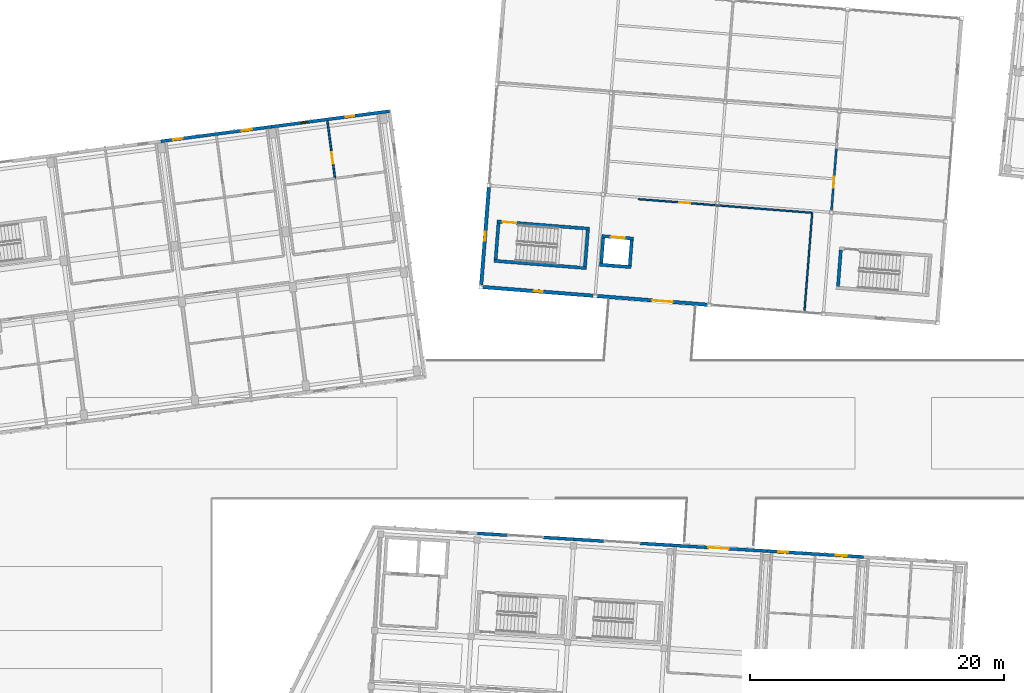
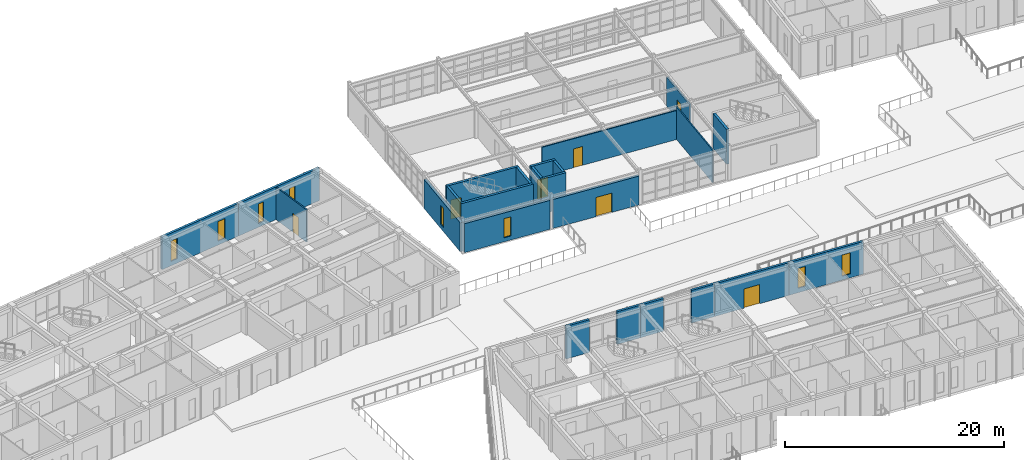
# One storey, part 96 of 150: 24 walls, 8 windows, 7 doors, 15 openings.
"""IFC4 building model written with IfcOpenShell, lengths in metres."""

import ifcopenshell
import ifcopenshell.guid

model = None  # the IFC model being written
_history = None  # IfcOwnerHistory: only IFC2X3 demands one
_inside = {}  # id of a spatial element -> (the spatial element, [elements in it])
_under = {}  # id of a project, library or spatial element -> (it, [spatial elements below it])
_declared = {}  # id of a project -> (the project, [libraries it declares])
_typed = {}  # id of a type object -> (the type object, [elements of that type])
_made_of = {}  # id of a material, layer set ... -> (it, [elements and type objects made of it])


def new_model(schema):
    """Start an empty IFC model of exactly this schema.

    Asked for "IFC4X3", IfcOpenShell would pick the latest addendum, in which some entities
    have other attributes; the version numbers below select the first issue.
    IFC2X3 requires an IfcOwnerHistory on every rooted entity: one is made here for all.
    """
    global model, _history
    if schema == "IFC4X3":
        model = ifcopenshell.file(schema_version=(4, 3, 0, 0))
    else:
        model = ifcopenshell.file(schema=schema)
    _inside.clear()
    _under.clear()
    _declared.clear()
    _typed.clear()
    _made_of.clear()
    _history = None
    if model.schema == "IFC2X3":
        org = make("IfcOrganization", Name="unknown")
        user = make(
            "IfcPersonAndOrganization",
            ThePerson=make("IfcPerson", FamilyName="unknown"),
            TheOrganization=org,
        )
        app = make(
            "IfcApplication",
            ApplicationDeveloper=org,
            Version="unknown",
            ApplicationFullName="unknown",
            ApplicationIdentifier="unknown",
        )
        _history = make(
            "IfcOwnerHistory",
            OwningUser=user,
            OwningApplication=app,
            ChangeAction="ADDED",
            CreationDate=0,
        )
    return model


def make(cls, **values):
    """One entity of the class cls with the attributes given. An attribute that is None is left unset."""
    return model.create_entity(
        cls, **{name: value for name, value in values.items() if value is not None}
    )


def rooted(cls, **values):
    """An entity with a GlobalId (a new one), such as an element, a storey or a relation."""
    return make(cls, GlobalId=ifcopenshell.guid.new(), OwnerHistory=_history, **values)


def si_unit(unit_type, name, prefix=None):
    """IfcSIUnit, for example si_unit("LENGTHUNIT", "METRE", prefix="MILLI")."""
    return make("IfcSIUnit", UnitType=unit_type, Prefix=prefix, Name=name)


def assignment(units):
    """IfcUnitAssignment: the units of a project."""
    return None if units is None else make("IfcUnitAssignment", Units=units)


def point(xyz):
    """IfcCartesianPoint."""
    return None if xyz is None else make("IfcCartesianPoint", Coordinates=xyz)


def direction(xyz):
    """IfcDirection."""
    return None if xyz is None else make("IfcDirection", DirectionRatios=xyz)


def frame(location, z_axis=None, x_axis=None):
    """IfcAxis2Placement3D, a coordinate frame: its origin and axes. An axis left out is left unset."""
    return make(
        "IfcAxis2Placement3D",
        Location=point(location),
        Axis=direction(z_axis),
        RefDirection=direction(x_axis),
    )


def frame_2d(location, x_axis=None):
    """IfcAxis2Placement2D, a coordinate frame in the plane: its origin and x axis."""
    return make(
        "IfcAxis2Placement2D", Location=point(location), RefDirection=direction(x_axis)
    )


def origin():
    """The frame at (0, 0, 0) with its axes left unset."""
    return frame((0.0, 0.0, 0.0))


def place(relative_to, where):
    """IfcLocalPlacement: puts the frame where relative to a parent placement (None: the world)."""
    return make(
        "IfcLocalPlacement", PlacementRelTo=relative_to, RelativePlacement=where
    )


def context(
    kind, dimensions, precision=None, world=None, true_north=None, identifier=None
):
    """IfcGeometricRepresentationContext, for example the 3D "Model" context."""
    return make(
        "IfcGeometricRepresentationContext",
        ContextIdentifier=identifier,
        ContextType=kind,
        CoordinateSpaceDimension=dimensions,
        Precision=precision,
        WorldCoordinateSystem=world,
        TrueNorth=true_north,
    )


def subcontext(parent, identifier, kind, view, scale=None):
    """IfcGeometricRepresentationSubContext, for example "Body" below "Model"."""
    return make(
        "IfcGeometricRepresentationSubContext",
        ContextIdentifier=identifier,
        ContextType=kind,
        ParentContext=parent,
        TargetScale=scale,
        TargetView=view,
    )


def project(units=None, contexts=None):
    """IfcProject with its units and contexts."""
    return rooted(
        "IfcProject",
        Name="project",
        RepresentationContexts=contexts,
        UnitsInContext=assignment(units),
    )


def spatial(cls, under=None, at=None, **own):
    """A site, building, storey or space (cls), placed at a placement, below another one or the project."""
    s = rooted(cls, ObjectPlacement=at, **own)
    if under is not None:
        _under.setdefault(under.id(), (under, []))[1].append(s)
    return s


def profile(cls, at=None, kind="AREA", **sizes):
    """A parametric profile (cls). Its sizes go by their IFC names, for example OverallWidth=200.0."""
    return make(cls, ProfileType=kind, Position=at, **sizes)


def rectangle(**sizes):
    """IfcRectangleProfileDef."""
    return profile("IfcRectangleProfileDef", **sizes)


def extrude(swept, where, along, depth):
    """IfcExtrudedAreaSolid: the profile swept, set in the frame where, extruded along a direction by depth."""
    return make(
        "IfcExtrudedAreaSolid",
        SweptArea=swept,
        Position=where,
        ExtrudedDirection=direction(along),
        Depth=depth,
    )


def shape(context_of_items, identifier, shape_type, items):
    """IfcShapeRepresentation: the items that make up one representation, for example the "Body"."""
    return make(
        "IfcShapeRepresentation",
        ContextOfItems=context_of_items,
        RepresentationIdentifier=identifier,
        RepresentationType=shape_type,
        Items=items,
    )


def material(Name=None, Category=None):
    """IfcMaterial."""
    return make("IfcMaterial", Name=Name, Category=Category)


def layer(
    of_material, thickness, ventilated=None, Name=None, Category=None, Priority=None
):
    """IfcMaterialLayer: one layer of a wall or slab, of a material (None: an air gap)."""
    return make(
        "IfcMaterialLayer",
        Material=of_material,
        LayerThickness=thickness,
        IsVentilated=ventilated,
        Name=Name,
        Category=Category,
        Priority=Priority,
    )


def layer_set(layers, Name=None):
    """IfcMaterialLayerSet."""
    return make("IfcMaterialLayerSet", MaterialLayers=layers, LayerSetName=Name)


def made_of(thing, what):
    """Note that an element or type object is made of a material, layer set ...; save() writes the relation."""
    if what is not None:
        _made_of.setdefault(what.id(), (what, []))[1].append(thing)
    return thing


def type_object(cls, material=None, **own):
    """A type object (cls), such as IfcWallType, which elements share."""
    return made_of(rooted(cls, **own), material)


def element(
    cls,
    number,
    at=None,
    inside=None,
    cuts=None,
    type_object=None,
    material=None,
    context=None,
    identifier="Body",
    shape_type=None,
    held_by="IfcProductDefinitionShape",
    body=None,
    shapes=None,
    **own,
):
    """One element of the class cls, such as IfcWall. Its Tag is "e" and its number.

    at: its placement. inside: the storey or other place that contains it. cuts: it is an
    opening in that element (IfcRelVoidsElement). A single representation is given by context,
    identifier, shape_type and body (its items); several are given by shapes. held_by: the class
    of the entity that holds the representations. save() writes the other relations.
    """
    e = rooted(cls, Tag="e%d" % number, ObjectPlacement=at, **own)
    if body is not None:
        shapes = [shape(context, identifier, shape_type, body)]
    if shapes is not None:
        e.Representation = make(held_by, Representations=shapes)
    if inside is not None:
        _inside.setdefault(inside.id(), (inside, []))[1].append(e)
    if cuts is not None:
        rooted(
            "IfcRelVoidsElement", RelatingBuildingElement=cuts, RelatedOpeningElement=e
        )
    if type_object is not None:
        _typed.setdefault(type_object.id(), (type_object, []))[1].append(e)
    return made_of(e, material)


def fill(opening, filler):
    """IfcRelFillsElement: the door or window that sits in an opening."""
    return rooted(
        "IfcRelFillsElement",
        RelatingOpeningElement=opening,
        RelatedBuildingElement=filler,
    )


def aggregate(whole, parts):
    """IfcRelAggregates: a whole, such as a stair, and the parts it consists of."""
    return rooted("IfcRelAggregates", RelatingObject=whole, RelatedObjects=parts)


def save(model, path):
    """Write the relations noted so far, then the file.

    IfcRelAggregates (storeys below a building ...), IfcRelContainedInSpatialStructure (elements
    in a storey), IfcRelDefinesByType, IfcRelAssociatesMaterial and IfcRelDeclares: one each for
    every whole, place, type object, material and project.
    """
    for whole, parts in _under.values():
        aggregate(whole, parts)
    for where, things in _inside.values():
        rooted(
            "IfcRelContainedInSpatialStructure",
            RelatedElements=things,
            RelatingStructure=where,
        )
    for kind, things in _typed.values():
        rooted("IfcRelDefinesByType", RelatedObjects=things, RelatingType=kind)
    for what, things in _made_of.values():
        rooted("IfcRelAssociatesMaterial", RelatedObjects=things, RelatingMaterial=what)
    for by, libraries in _declared.values():
        rooted("IfcRelDeclares", RelatingContext=by, RelatedDefinitions=libraries)
    model.write(path)


model = new_model("IFC4")

# Units and contexts
model_context = context("Model", 3, precision=1e-05, world=origin(), true_north=direction((0.0, 1.0)))
body_context = subcontext(model_context, "Body", "Model", "MODEL_VIEW")
ifc_project = project(units=[si_unit("LENGTHUNIT", "METRE"), si_unit("AREAUNIT", "SQUARE_METRE"), si_unit("VOLUMEUNIT", "CUBIC_METRE"), si_unit("PLANEANGLEUNIT", "RADIAN"), si_unit("MASSUNIT", "GRAM", prefix="KILO")], contexts=[model_context])

# Site, building, storey
site_placement = place(None, origin())
site = spatial("IfcSite", under=ifc_project, at=site_placement, CompositionType="ELEMENT")
building_placement = place(site_placement, origin())
building = spatial("IfcBuilding", under=site, at=building_placement, Name="Kestramere Prow Commons", CompositionType="ELEMENT")
storey_placement = place(building_placement, frame((0.0, 0.0, 4.5)))
storey = spatial("IfcBuildingStorey", under=building, at=storey_placement, Name="L01", CompositionType="ELEMENT", Elevation=4.5)

# Wall, opening, window
ifc_material_1 = material(Name="Precast concrete C40/50", Category="concrete")
ifc_layer_1 = layer(ifc_material_1, 0.280029296875)
ifc_layer_set_1 = layer_set([ifc_layer_1], Name="Precast concrete C40/50")
wall_type_1 = type_object("IfcWallType", Name="EW-CIVIC-280", PredefinedType="SOLIDWALL", material=ifc_layer_set_1)
wall_1_placement = place(storey_placement, frame((77.422607421875, 84.8056640625, 0.0), z_axis=(0.0, 0.0, 1.0), x_axis=(-0.996917066238, 0.078462494502, 0.0)))
wall_1 = element("IfcWall", 1, at=wall_1_placement, inside=storey, type_object=wall_type_1, Name="Nursery L01 South Wall 1", PredefinedType="SOLIDWALL", context=body_context, shape_type="SweptSolid", body=[
    extrude(rectangle(XDim=8.699951171875, YDim=0.280029296875, at=frame_2d((4.35009765625, 0.0))), origin(), (0.0, 0.0, 1.0), 3.22998046875),
])
opening_1_placement = place(wall_1_placement, frame((4.0, 0.0, 0.449951171875)))
opening_1 = element("IfcOpeningElement", 2, at=opening_1_placement, cuts=wall_1, Name="Opening WN-16", PredefinedType="OPENING", context=body_context, shape_type="SweptSolid", body=[
    extrude(rectangle(XDim=0.699951171875, YDim=2.139892578125, at=frame_2d((0.35009765625, 1.06982421875))), frame((0.0, 0.155029296875, 0.0), z_axis=(0.0, -1.0, 0.0), x_axis=(1.0, 0.0, 0.0)), (0.0, 0.0, 1.0), 0.31005859375),
])
ifc_material_2 = material(Name="Low-E Laminated Double Glazing", Category="glass")
window_type_1 = type_object("IfcWindowType", Name="WN-CIV-700", PartitioningType="SINGLE_PANEL", PredefinedType="WINDOW", material=ifc_material_2)
window_1_placement = place(opening_1_placement, origin())
window_1 = element("IfcWindow", 3, at=window_1_placement, inside=storey, type_object=window_type_1, Name="WN-NR-L01-S-0", OverallHeight=2.139892578125, OverallWidth=0.699951171875, PartitioningType="SINGLE_PANEL", PredefinedType="WINDOW", context=body_context, shape_type="SweptSolid", body=[
    extrude(rectangle(XDim=0.699951171875, YDim=2.139892578125, at=frame_2d((0.35009765625, 1.06982421875))), frame((0.0, 0.030029296875, 0.0), z_axis=(0.0, -1.0, 0.0), x_axis=(1.0, 0.0, 0.0)), (0.0, 0.0, 1.0), 0.06005859375),
])
fill(opening_1, window_1)

# Wall, opening, door
wall_2_placement = place(storey_placement, frame((86.39501953125, 84.099609375, 0.0), z_axis=(0.0, 0.0, 1.0), x_axis=(-0.996919433544, 0.078432410537, 0.0)))
wall_2 = element("IfcWall", 4, at=wall_2_placement, inside=storey, type_object=wall_type_1, Name="Nursery L01 South Wall 2", PredefinedType="SOLIDWALL", context=body_context, shape_type="SweptSolid", body=[
    extrude(rectangle(XDim=8.7001953125, YDim=0.280029296875, at=frame_2d((4.35009765625, 0.0))), origin(), (0.0, 0.0, 1.0), 3.22998046875),
])
opening_2_placement = place(wall_2_placement, frame((2.739990234375, 0.0, 0.0)))
opening_2 = element("IfcOpeningElement", 5, at=opening_2_placement, cuts=wall_2, Name="Opening GD-TER-01", PredefinedType="OPENING", context=body_context, shape_type="SweptSolid", body=[
    extrude(rectangle(XDim=1.60009765625, YDim=2.14990234375, at=frame_2d((0.800048828125, 1.074951171875))), frame((0.0, 0.155029296875, 0.0), z_axis=(0.0, -1.0, 0.0), x_axis=(1.0, 0.0, 0.0)), (0.0, 0.0, 1.0), 0.31005859375),
])
ifc_material_3 = material(Name="Thermally-Broken Anodised Aluminium Glazed", Category="aluminium")
door_type_1 = type_object("IfcDoorType", Name="GD-TERR-1600", OperationType="DOUBLE_DOOR_SINGLE_SWING", PredefinedType="DOOR", material=ifc_material_3)
door_1_placement = place(opening_2_placement, origin())
door_1 = element("IfcDoor", 6, at=door_1_placement, inside=storey, type_object=door_type_1, Name="Nursery L01 Raised Courtyard Entrance Door", OperationType="DOUBLE_DOOR_SINGLE_SWING", OverallHeight=2.14990234375, OverallWidth=1.60009765625, PredefinedType="DOOR", context=body_context, shape_type="SweptSolid", body=[
    extrude(rectangle(XDim=1.60009765625, YDim=2.14990234375, at=frame_2d((0.800048828125, 1.074951171875))), frame((0.0, 0.02490234375, 0.0), z_axis=(0.0, -1.0, 0.0), x_axis=(1.0, 0.0, 0.0)), (0.0, 0.0, 1.0), 0.050048828125),
])
fill(opening_2, door_1)

# Wall, opening, window
wall_3_placement = place(storey_placement, frame((68.61181640625, 85.649658203125, 0.0), z_axis=(0.0, 0.0, 1.0), x_axis=(0.078444588533, 0.996918475368, 0.0)))
wall_3 = element("IfcWall", 7, at=wall_3_placement, inside=storey, type_object=wall_type_1, Name="Nursery L01 W Wall 1", PredefinedType="SOLIDWALL", context=body_context, shape_type="SweptSolid", body=[
    extrude(rectangle(XDim=7.69970703125, YDim=0.280029296875, at=frame_2d((3.849853515625, 0.0))), origin(), (0.0, 0.0, 1.0), 3.22998046875),
])
opening_3_placement = place(wall_3_placement, frame((3.5, 0.0, 0.449951171875)))
opening_3 = element("IfcOpeningElement", 8, at=opening_3_placement, cuts=wall_3, Name="Opening WN-16", PredefinedType="OPENING", context=body_context, shape_type="SweptSolid", body=[
    extrude(rectangle(XDim=0.699951171875, YDim=2.139892578125, at=frame_2d((0.35009765625, 1.06982421875))), frame((0.0, 0.155029296875, 0.0), z_axis=(0.0, -1.0, 0.0), x_axis=(1.0, 0.0, 0.0)), (0.0, 0.0, 1.0), 0.31005859375),
])
window_2_placement = place(opening_3_placement, origin())
window_2 = element("IfcWindow", 9, at=window_2_placement, inside=storey, type_object=window_type_1, Name="WN-NR-L01-W-0", OverallHeight=2.139892578125, OverallWidth=0.699951171875, PartitioningType="SINGLE_PANEL", PredefinedType="WINDOW", context=body_context, shape_type="SweptSolid", body=[
    extrude(rectangle(XDim=0.699951171875, YDim=2.139892578125, at=frame_2d((0.35009765625, 1.06982421875))), frame((0.0, 0.030029296875, 0.0), z_axis=(0.0, -1.0, 0.0), x_axis=(1.0, 0.0, 0.0)), (0.0, 0.0, 1.0), 0.06005859375),
])
fill(opening_3, window_2)

# Wall, openings, windows
ifc_material_4 = material(Name="Fluoropolymer Standing-Seam Zinc-Aluminium Cladding", Category="aluminium")
ifc_layer_2 = layer(ifc_material_4, 0.239990234375)
ifc_layer_set_2 = layer_set([ifc_layer_2], Name="Fluoropolymer Standing-Seam Zinc-Aluminium Cladding")
wall_type_2 = type_object("IfcWallType", Name="EW-SEAM-240", PredefinedType="SOLIDWALL", material=ifc_layer_set_2)
wall_4_placement = place(storey_placement, frame((43.419921875, 96.94384765625, 0.0), z_axis=(0.0, 0.0, 1.0), x_axis=(0.991443905089, 0.130533455715, 0.0)))
wall_4 = element("IfcWall", 10, at=wall_4_placement, inside=storey, type_object=wall_type_2, Name="Block A L01 North Standing-Seam Wall 5", PredefinedType="SOLIDWALL", context=body_context, shape_type="SweptSolid", body=[
    extrude(rectangle(XDim=8.7998046875, YDim=0.239990234375, at=frame_2d((4.39990234375, 0.0))), origin(), (0.0, 0.0, 1.0), 3.64990234375),
])
opening_4_placement = place(wall_4_placement, frame((1.000732421875, 0.0, 0.5)))
opening_4 = element("IfcOpeningElement", 11, at=opening_4_placement, cuts=wall_4, Name="Opening WN-09", PredefinedType="OPENING", context=body_context, shape_type="SweptSolid", body=[
    extrude(rectangle(XDim=0.739990234375, YDim=2.260009765625, at=frame_2d((0.3701171875, 1.1298828125))), frame((0.0, 0.135009765625, 0.0), z_axis=(0.0, -1.0, 0.0), x_axis=(1.0, 0.0, 0.0)), (0.0, 0.0, 1.0), 0.27001953125),
])
opening_5_placement = place(wall_4_placement, frame((6.41796875, 0.0, 0.43994140625)))
opening_5 = element("IfcOpeningElement", 12, at=opening_5_placement, cuts=wall_4, Name="Opening WN-13", PredefinedType="OPENING", context=body_context, shape_type="SweptSolid", body=[
    extrude(rectangle(XDim=0.820068359375, YDim=2.179931640625, at=frame_2d((0.41015625, 1.08984375))), frame((0.0, 0.135009765625, 0.0), z_axis=(0.0, -1.0, 0.0), x_axis=(1.0, 0.0, 0.0)), (0.0, 0.0, 1.0), 0.27001953125),
])
window_type_2 = type_object("IfcWindowType", Name="WN-NAR-740A", PartitioningType="SINGLE_PANEL", PredefinedType="WINDOW", material=ifc_material_2)
window_3_placement = place(opening_4_placement, origin())
window_3 = element("IfcWindow", 13, at=window_3_placement, inside=storey, type_object=window_type_2, Name="WN-A-L01-N-4-0", OverallHeight=2.260009765625, OverallWidth=0.739990234375, PartitioningType="SINGLE_PANEL", PredefinedType="WINDOW", context=body_context, shape_type="SweptSolid", body=[
    extrude(rectangle(XDim=0.739990234375, YDim=2.260009765625, at=frame_2d((0.3701171875, 1.1298828125))), frame((0.0, 0.030029296875, 0.0), z_axis=(0.0, -1.0, 0.0), x_axis=(1.0, 0.0, 0.0)), (0.0, 0.0, 1.0), 0.06005859375),
])
fill(opening_4, window_3)
window_type_3 = type_object("IfcWindowType", Name="WN-NAR-820A", PartitioningType="DOUBLE_PANEL_VERTICAL", PredefinedType="WINDOW", material=ifc_material_2)
window_4_placement = place(opening_5_placement, origin())
window_4 = element("IfcWindow", 14, at=window_4_placement, inside=storey, type_object=window_type_3, Name="WN-A-L01-N-4-1", OverallHeight=2.179931640625, OverallWidth=0.820068359375, PartitioningType="SINGLE_PANEL", PredefinedType="WINDOW", context=body_context, shape_type="SweptSolid", body=[
    extrude(rectangle(XDim=0.820068359375, YDim=2.179931640625, at=frame_2d((0.41015625, 1.08984375))), frame((0.0, 0.030029296875, 0.0), z_axis=(0.0, -1.0, 0.0), x_axis=(1.0, 0.0, 0.0)), (0.0, 0.0, 1.0), 0.06005859375),
])
fill(opening_5, window_4)

wall_5_placement = place(storey_placement, frame((52.14453125, 98.092529296875, 0.0), z_axis=(0.0, 0.0, 1.0), x_axis=(0.991442885224, 0.130541201693, 0.0)))
wall_5 = element("IfcWall", 15, at=wall_5_placement, inside=storey, type_object=wall_type_2, Name="Block A L01 North Standing-Seam Wall 6", PredefinedType="SOLIDWALL", context=body_context, shape_type="SweptSolid", body=[
    extrude(rectangle(XDim=9.324951171875, YDim=0.239990234375, at=frame_2d((4.66259765625, 0.0))), origin(), (0.0, 0.0, 1.0), 3.64990234375),
])
opening_6_placement = place(wall_5_placement, frame((2.287841796875, 0.0, 0.43994140625)))
opening_6 = element("IfcOpeningElement", 16, at=opening_6_placement, cuts=wall_5, Name="Opening WN-01", PredefinedType="OPENING", context=body_context, shape_type="SweptSolid", body=[
    extrude(rectangle(XDim=0.580078125, YDim=2.159912109375, at=frame_2d((0.2900390625, 1.080078125))), frame((0.0, 0.135009765625, 0.0), z_axis=(0.0, -1.0, 0.0), x_axis=(1.0, 0.0, 0.0)), (0.0, 0.0, 1.0), 0.27001953125),
])
opening_7_placement = place(wall_5_placement, frame((5.872802734375, 0.0, 0.5)))
opening_7 = element("IfcOpeningElement", 17, at=opening_7_placement, cuts=wall_5, Name="Opening WN-05", PredefinedType="OPENING", context=body_context, shape_type="SweptSolid", body=[
    extrude(rectangle(XDim=0.659912109375, YDim=2.320068359375, at=frame_2d((0.330078125, 1.16015625))), frame((0.0, 0.135009765625, 0.0), z_axis=(0.0, -1.0, 0.0), x_axis=(1.0, 0.0, 0.0)), (0.0, 0.0, 1.0), 0.27001953125),
])
window_type_4 = type_object("IfcWindowType", Name="WN-NAR-580A", PartitioningType="SINGLE_PANEL", PredefinedType="WINDOW", material=ifc_material_2)
window_5_placement = place(opening_6_placement, origin())
window_5 = element("IfcWindow", 18, at=window_5_placement, inside=storey, type_object=window_type_4, Name="WN-A-L01-N-5-0", OverallHeight=2.159912109375, OverallWidth=0.580078125, PartitioningType="SINGLE_PANEL", PredefinedType="WINDOW", context=body_context, shape_type="SweptSolid", body=[
    extrude(rectangle(XDim=0.580078125, YDim=2.159912109375, at=frame_2d((0.2900390625, 1.080078125))), frame((0.0, 0.030029296875, 0.0), z_axis=(0.0, -1.0, 0.0), x_axis=(1.0, 0.0, 0.0)), (0.0, 0.0, 1.0), 0.06005859375),
])
fill(opening_6, window_5)
window_type_5 = type_object("IfcWindowType", Name="WN-NAR-660A", PartitioningType="SINGLE_PANEL", PredefinedType="WINDOW", material=ifc_material_2)
window_6_placement = place(opening_7_placement, origin())
window_6 = element("IfcWindow", 19, at=window_6_placement, inside=storey, type_object=window_type_5, Name="WN-A-L01-N-5-1", OverallHeight=2.320068359375, OverallWidth=0.659912109375, PartitioningType="SINGLE_PANEL", PredefinedType="WINDOW", context=body_context, shape_type="SweptSolid", body=[
    extrude(rectangle(XDim=0.659912109375, YDim=2.320068359375, at=frame_2d((0.330078125, 1.16015625))), frame((0.0, 0.030029296875, 0.0), z_axis=(0.0, -1.0, 0.0), x_axis=(1.0, 0.0, 0.0)), (0.0, 0.0, 1.0), 0.06005859375),
])
fill(opening_7, window_6)

# Walls
wall_6_placement = place(storey_placement, frame((68.314453125, 66.12353515625, 0.0), z_axis=(0.0, 0.0, 1.0), x_axis=(0.998134103342, -0.061059902923, 0.0)))
element("IfcWall", 20, at=wall_6_placement, inside=storey, type_object=wall_type_2, Name="Block C L01 North Standing-Seam Pier 2L", PredefinedType="SOLIDWALL", context=body_context, shape_type="SweptSolid", body=[
    extrude(rectangle(XDim=2.375, YDim=0.239990234375, at=frame_2d((1.1875, 0.0))), origin(), (0.0, 0.0, 1.0), 3.64990234375),
])
wall_7_placement = place(storey_placement, frame((73.52978515625, 65.804443359375, 0.0), z_axis=(0.0, 0.0, 1.0), x_axis=(0.998133720034, -0.061066168473, 0.0)))
element("IfcWall", 21, at=wall_7_placement, inside=storey, type_object=wall_type_2, Name="Block C L01 North Standing-Seam Pier 2R", PredefinedType="SOLIDWALL", context=body_context, shape_type="SweptSolid", body=[
    extrude(rectangle(XDim=2.374755859375, YDim=0.239990234375, at=frame_2d((1.1875, 0.0))), origin(), (0.0, 0.0, 1.0), 3.64990234375),
])
for number, where, z_axis, x_axis, name in (
    (22, (75.900146484375, 65.659423828125, 0.0), (0.0, 0.0, 1.0), (0.998140363035, -0.06095749076, 0.0), "Block C L01 North Standing-Seam Pier 3L"),
    (23, (81.115478515625, 65.340576171875, 0.0), (0.0, 0.0, 1.0), (0.998134103342, -0.061059902923, 0.0), "Block C L01 North Standing-Seam Pier 3R"),
):
    element("IfcWall", number, at=place(storey_placement, frame(where, z_axis=z_axis, x_axis=x_axis)), inside=storey, type_object=wall_type_2, Name=name, PredefinedType="SOLIDWALL", context=body_context, shape_type="SweptSolid", body=[
        extrude(rectangle(XDim=2.375, YDim=0.239990234375, at=frame_2d((1.1875, 0.0))), origin(), (0.0, 0.0, 1.0), 3.64990234375),
    ])

# Wall, opening, door
wall_8_placement = place(storey_placement, frame((83.486083984375, 65.195556640625, 0.0), z_axis=(0.0, 0.0, 1.0), x_axis=(0.998135669243, -0.061034300063, 0.0)))
wall_8 = element("IfcWall", 24, at=wall_8_placement, inside=storey, type_object=wall_type_2, Name="Block C L01 North Standing-Seam Wall 4", PredefinedType="SOLIDWALL", context=body_context, shape_type="SweptSolid", body=[
    extrude(rectangle(XDim=7.60009765625, YDim=0.239990234375, at=frame_2d((3.800048828125, 0.0))), origin(), (0.0, 0.0, 1.0), 3.64990234375),
])
opening_8_placement = place(wall_8_placement, frame((3.0, 0.0, 0.0)))
opening_8 = element("IfcOpeningElement", 25, at=opening_8_placement, cuts=wall_8, Name="Opening GD-TER-01", PredefinedType="OPENING", context=body_context, shape_type="SweptSolid", body=[
    extrude(rectangle(XDim=1.60009765625, YDim=2.14990234375, at=frame_2d((0.800048828125, 1.074951171875))), frame((0.0, 0.135009765625, 0.0), z_axis=(0.0, -1.0, 0.0), x_axis=(1.0, 0.0, 0.0)), (0.0, 0.0, 1.0), 0.27001953125),
])
door_2_placement = place(opening_8_placement, origin())
door_2 = element("IfcDoor", 26, at=door_2_placement, inside=storey, type_object=door_type_1, Name="Block C L01 Raised Courtyard Entrance Door", OperationType="DOUBLE_DOOR_SINGLE_SWING", OverallHeight=2.14990234375, OverallWidth=1.60009765625, PredefinedType="DOOR", context=body_context, shape_type="SweptSolid", body=[
    extrude(rectangle(XDim=1.60009765625, YDim=2.14990234375, at=frame_2d((0.800048828125, 1.074951171875))), frame((0.0, 0.02490234375, 0.0), z_axis=(0.0, -1.0, 0.0), x_axis=(1.0, 0.0, 0.0)), (0.0, 0.0, 1.0), 0.050048828125),
])
fill(opening_8, door_2)

# Wall, openings, windows
wall_9_placement = place(storey_placement, frame((91.072021484375, 64.731689453125, 0.0), z_axis=(0.0, 0.0, 1.0), x_axis=(0.998133591969, -0.061068261669, 0.0)))
wall_9 = element("IfcWall", 27, at=wall_9_placement, inside=storey, type_object=wall_type_2, Name="Block C L01 North Standing-Seam Wall 5", PredefinedType="SOLIDWALL", context=body_context, shape_type="SweptSolid", body=[
    extrude(rectangle(XDim=7.599853515625, YDim=0.239990234375, at=frame_2d((3.7998046875, 0.0))), origin(), (0.0, 0.0, 1.0), 3.64990234375),
])
opening_9_placement = place(wall_9_placement, frame((0.901611328125, 0.0, 0.5)))
opening_9 = element("IfcOpeningElement", 28, at=opening_9_placement, cuts=wall_9, Name="Opening WN-11", PredefinedType="OPENING", context=body_context, shape_type="SweptSolid", body=[
    extrude(rectangle(XDim=0.780029296875, YDim=2.199951171875, at=frame_2d((0.39013671875, 1.10009765625))), frame((0.0, 0.135009765625, 0.0), z_axis=(0.0, -1.0, 0.0), x_axis=(1.0, 0.0, 0.0)), (0.0, 0.0, 1.0), 0.27001953125),
])
opening_10_placement = place(wall_9_placement, frame((5.426025390625, 0.0, 0.43994140625)))
opening_10 = element("IfcOpeningElement", 29, at=opening_10_placement, cuts=wall_9, Name="Opening WN-15", PredefinedType="OPENING", context=body_context, shape_type="SweptSolid", body=[
    extrude(rectangle(XDim=0.860107421875, YDim=2.360107421875, at=frame_2d((0.43017578125, 1.18017578125))), frame((0.0, 0.135009765625, 0.0), z_axis=(0.0, -1.0, 0.0), x_axis=(1.0, 0.0, 0.0)), (0.0, 0.0, 1.0), 0.27001953125),
])
window_type_6 = type_object("IfcWindowType", Name="WN-NAR-780A", PartitioningType="SINGLE_PANEL", PredefinedType="WINDOW", material=ifc_material_2)
window_7_placement = place(opening_9_placement, origin())
window_7 = element("IfcWindow", 30, at=window_7_placement, inside=storey, type_object=window_type_6, Name="WN-C-L01-N-4-0", OverallHeight=2.199951171875, OverallWidth=0.780029296875, PartitioningType="SINGLE_PANEL", PredefinedType="WINDOW", context=body_context, shape_type="SweptSolid", body=[
    extrude(rectangle(XDim=0.780029296875, YDim=2.199951171875, at=frame_2d((0.39013671875, 1.10009765625))), frame((0.0, 0.030029296875, 0.0), z_axis=(0.0, -1.0, 0.0), x_axis=(1.0, 0.0, 0.0)), (0.0, 0.0, 1.0), 0.06005859375),
])
fill(opening_9, window_7)
window_type_7 = type_object("IfcWindowType", Name="WN-NAR-860A", PartitioningType="DOUBLE_PANEL_VERTICAL", PredefinedType="WINDOW", material=ifc_material_2)
window_8_placement = place(opening_10_placement, origin())
window_8 = element("IfcWindow", 31, at=window_8_placement, inside=storey, type_object=window_type_7, Name="WN-C-L01-N-4-1", OverallHeight=2.360107421875, OverallWidth=0.860107421875, PartitioningType="SINGLE_PANEL", PredefinedType="WINDOW", context=body_context, shape_type="SweptSolid", body=[
    extrude(rectangle(XDim=0.860107421875, YDim=2.360107421875, at=frame_2d((0.43017578125, 1.18017578125))), frame((0.0, 0.030029296875, 0.0), z_axis=(0.0, -1.0, 0.0), x_axis=(1.0, 0.0, 0.0)), (0.0, 0.0, 1.0), 0.06005859375),
])
fill(opening_10, window_8)

# Wall, opening, door
ifc_material_5 = material(Name="Concrete C40/50", Category="concrete")
ifc_layer_3 = layer(ifc_material_5, 0.25)
ifc_layer_set_3 = layer_set([ifc_layer_3], Name="Concrete C40/50")
wall_type_3 = type_object("IfcWallType", Name="W-CORE-250", PredefinedType="SHEAR", material=ifc_layer_set_3)
wall_10_placement = place(storey_placement, frame((69.857421875, 90.64208984375, 0.0), z_axis=(0.0, 0.0, 1.0), x_axis=(0.996917178022, -0.078461074196, 0.0)))
wall_10 = element("IfcWall", 32, at=wall_10_placement, inside=storey, type_object=wall_type_3, Name="SW-ST-N1-L01-N", PredefinedType="SHEAR", context=body_context, shape_type="SweptSolid", body=[
    extrude(rectangle(XDim=7.2998046875, YDim=0.25, at=frame_2d((3.64990234375, 0.0))), origin(), (0.0, 0.0, 1.0), 3.89990234375),
])
opening_11_placement = place(wall_10_placement, frame((0.449951171875, 0.0, 0.0)))
opening_11 = element("IfcOpeningElement", 33, at=opening_11_placement, cuts=wall_10, Name="Opening ID-01", PredefinedType="OPENING", context=body_context, shape_type="SweptSolid", body=[
    extrude(rectangle(XDim=1.050048828125, YDim=2.14990234375, at=frame_2d((0.52490234375, 1.074951171875))), frame((0.0, 0.139892578125, 0.0), z_axis=(0.0, -1.0, 0.0), x_axis=(1.0, 0.0, 0.0)), (0.0, 0.0, 1.0), 0.280029296875),
])
ifc_material_6 = material(Name="Fire-Rated Timber and Steel Frame", Category="steel")
door_type_2 = type_object("IfcDoorType", Name="FD-ST-01", OperationType="NOTDEFINED", PredefinedType="DOOR", material=ifc_material_6)
door_3_placement = place(opening_11_placement, origin())
door_3 = element("IfcDoor", 34, at=door_3_placement, inside=storey, type_object=door_type_2, Name="ST-N1 L01 Protected Stair Door", OperationType="SINGLE_SWING_RIGHT", OverallHeight=2.14990234375, OverallWidth=1.050048828125, PredefinedType="DOOR", context=body_context, shape_type="SweptSolid", body=[
    extrude(rectangle(XDim=1.050048828125, YDim=2.14990234375, at=frame_2d((0.52490234375, 1.074951171875))), frame((0.0, 0.02490234375, 0.0), z_axis=(0.0, -1.0, 0.0), x_axis=(1.0, 0.0, 0.0)), (0.0, 0.0, 1.0), 0.050048828125),
])
fill(opening_11, door_3)

# Walls
wall_11_placement = place(storey_placement, frame((69.614013671875, 87.5517578125, 0.0), z_axis=(0.0, 0.0, 1.0), x_axis=(0.996917383902, -0.078458458272, 0.0)))
element("IfcWall", 35, at=wall_11_placement, inside=storey, type_object=wall_type_3, Name="SW-ST-N1-L01-S", PredefinedType="SHEAR", context=body_context, shape_type="SweptSolid", body=[
    extrude(rectangle(XDim=7.300048828125, YDim=0.25, at=frame_2d((3.64990234375, 0.0))), origin(), (0.0, 0.0, 1.0), 3.89990234375),
])
wall_12_placement = place(storey_placement, frame((69.74853515625, 87.66650390625, 0.0), z_axis=(0.0, 0.0, 1.0), x_axis=(0.078465015546, 0.996916867816, 0.0)))
element("IfcWall", 36, at=wall_12_placement, inside=storey, type_object=wall_type_3, Name="SW-ST-N1-L01-W", PredefinedType="SHEAR", context=body_context, shape_type="SweptSolid", body=[
    extrude(rectangle(XDim=2.85009765625, YDim=0.25, at=frame_2d((1.425048828125, 0.0))), origin(), (0.0, 0.0, 1.0), 3.89990234375),
])
wall_13_placement = place(storey_placement, frame((76.77685546875, 87.113525390625, 0.0), z_axis=(0.0, 0.0, 1.0), x_axis=(0.078471716745, 0.996916340357, 0.0)))
element("IfcWall", 37, at=wall_13_placement, inside=storey, type_object=wall_type_3, Name="SW-ST-N1-L01-E", PredefinedType="SHEAR", context=body_context, shape_type="SweptSolid", body=[
    extrude(rectangle(XDim=2.849853515625, YDim=0.25, at=frame_2d((1.4248046875, 0.0))), origin(), (0.0, 0.0, 1.0), 3.89990234375),
])
wall_14_placement = place(storey_placement, frame((96.665283203125, 85.548095703125, 0.0), z_axis=(0.0, 0.0, 1.0), x_axis=(0.078465015546, 0.996916867816, 0.0)))
element("IfcWall", 38, at=wall_14_placement, inside=storey, type_object=wall_type_3, Name="SW-ST-N2-L01-W", PredefinedType="SHEAR", context=body_context, shape_type="SweptSolid", body=[
    extrude(rectangle(XDim=2.85009765625, YDim=0.25, at=frame_2d((1.425048828125, 0.0))), origin(), (0.0, 0.0, 1.0), 3.89990234375),
])

# Wall, opening, door
wall_15_placement = place(storey_placement, frame((78.092529296875, 89.492431640625, 0.0), z_axis=(0.0, 0.0, 1.0), x_axis=(0.996920289399, -0.078421531386, 0.0)))
wall_15 = element("IfcWall", 39, at=wall_15_placement, inside=storey, type_object=wall_type_3, Name="CW-PLN1-L01-N", PredefinedType="SHEAR", context=body_context, shape_type="SweptSolid", body=[
    extrude(rectangle(XDim=2.5, YDim=0.25, at=frame_2d((1.25, 0.0))), origin(), (0.0, 0.0, 1.0), 3.89990234375),
])
opening_12_placement = place(wall_15_placement, frame((0.699951171875, 0.0, 0.0)))
opening_12 = element("IfcOpeningElement", 40, at=opening_12_placement, cuts=wall_15, Name="Opening LD-01", PredefinedType="OPENING", context=body_context, shape_type="SweptSolid", body=[
    extrude(rectangle(XDim=1.10009765625, YDim=2.14990234375, at=frame_2d((0.550048828125, 1.074951171875))), frame((0.0, 0.139892578125, 0.0), z_axis=(0.0, -1.0, 0.0), x_axis=(1.0, 0.0, 0.0)), (0.0, 0.0, 1.0), 0.280029296875),
])
ifc_material_7 = material(Name="Brushed Stainless Steel 304", Category="steel")
door_type_3 = type_object("IfcDoorType", Name="LD-01", OperationType="DOUBLE_DOOR_SLIDING", PredefinedType="DOOR", material=ifc_material_7)
door_4_placement = place(opening_12_placement, origin())
door_4 = element("IfcDoor", 41, at=door_4_placement, inside=storey, type_object=door_type_3, Name="PL-N1 L01 Lift Landing Door", OperationType="DOUBLE_DOOR_SLIDING", OverallHeight=2.14990234375, OverallWidth=1.10009765625, PredefinedType="DOOR", context=body_context, shape_type="SweptSolid", body=[
    extrude(rectangle(XDim=1.10009765625, YDim=2.14990234375, at=frame_2d((0.550048828125, 1.074951171875))), frame((0.0, 0.02490234375, 0.0), z_axis=(0.0, -1.0, 0.0), x_axis=(1.0, 0.0, 0.0)), (0.0, 0.0, 1.0), 0.050048828125),
])
fill(opening_12, door_4)

# Walls
wall_16_placement = place(storey_placement, frame((77.916015625, 87.24951171875, 0.0), z_axis=(0.0, 0.0, 1.0), x_axis=(0.996912649619, -0.07851859035, 0.0)))
element("IfcWall", 42, at=wall_16_placement, inside=storey, type_object=wall_type_3, Name="CW-PLN1-L01-S", PredefinedType="SHEAR", context=body_context, shape_type="SweptSolid", body=[
    extrude(rectangle(XDim=2.5, YDim=0.25, at=frame_2d((1.25, 0.0))), origin(), (0.0, 0.0, 1.0), 3.89990234375),
])
for number, where, z_axis, x_axis, name in (
    (43, (78.05029296875, 87.3642578125, 0.0), (0.0, 0.0, 1.0), (0.07848859465, 0.996915011678, 0.0), "CW-PLN1-L01-W"),
    (44, (80.29345703125, 87.187744140625, 0.0), (0.0, 0.0, 1.0), (0.07848859465, 0.996915011678, 0.0), "CW-PLN1-L01-E"),
):
    element("IfcWall", number, at=place(storey_placement, frame(where, z_axis=z_axis, x_axis=x_axis)), inside=storey, type_object=wall_type_3, Name=name, PredefinedType="SHEAR", context=body_context, shape_type="SweptSolid", body=[
        extrude(rectangle(XDim=2.0, YDim=0.25, at=frame_2d((1.0, 0.0))), origin(), (0.0, 0.0, 1.0), 3.89990234375),
    ])

# Wall, opening, door
ifc_material_8 = material(Name="Lightweight Blockwork and Plaster", Category="masonry")
ifc_layer_4 = layer(ifc_material_8, 0.1201171875)
ifc_layer_set_4 = layer_set([ifc_layer_4], Name="Lightweight Blockwork and Plaster")
wall_type_4 = type_object("IfcWallType", Name="W-PART-120", PredefinedType="PARTITIONING", material=ifc_layer_set_4)
wall_17_placement = place(storey_placement, frame((80.9794921875, 92.39990234375, 0.0), z_axis=(0.0, 0.0, 1.0), x_axis=(0.996918352409, -0.078446151144, 0.0)))
wall_17 = element("IfcWall", 45, at=wall_17_placement, inside=storey, type_object=wall_type_4, Name="Interior Partition PW-NR-L01-CS", PredefinedType="PARTITIONING", context=body_context, shape_type="SweptSolid", body=[
    extrude(rectangle(XDim=13.699951171875, YDim=0.1201171875, at=frame_2d((6.85009765625, 0.0))), origin(), (0.0, 0.0, 1.0), 3.24365234375),
])
opening_13_placement = place(wall_17_placement, frame((3.199951171875, 0.0, 0.0)))
opening_13 = element("IfcOpeningElement", 46, at=opening_13_placement, cuts=wall_17, Name="Opening ID-08", PredefinedType="OPENING", context=body_context, shape_type="SweptSolid", body=[
    extrude(rectangle(XDim=0.89990234375, YDim=2.10009765625, at=frame_2d((0.449951171875, 1.050048828125))), frame((0.0, 0.074951171875, 0.0), z_axis=(0.0, -1.0, 0.0), x_axis=(1.0, 0.0, 0.0)), (0.0, 0.0, 1.0), 0.150146484375),
])
ifc_material_9 = material(Name="Engineered Timber Flush Door", Category="wood")
door_type_4 = type_object("IfcDoorType", Name="D-RM-01", OperationType="NOTDEFINED", PredefinedType="DOOR", material=ifc_material_9)
door_5_placement = place(opening_13_placement, origin())
door_5 = element("IfcDoor", 47, at=door_5_placement, inside=storey, type_object=door_type_4, Name="Interior Door DR-NR-L01-S1", OperationType="SINGLE_SWING_LEFT", OverallHeight=2.10009765625, OverallWidth=0.89990234375, PredefinedType="DOOR", context=body_context, shape_type="SweptSolid", body=[
    extrude(rectangle(XDim=0.89990234375, YDim=2.10009765625, at=frame_2d((0.449951171875, 1.050048828125))), frame((0.0, 0.02490234375, 0.0), z_axis=(0.0, -1.0, 0.0), x_axis=(1.0, 0.0, 0.0)), (0.0, 0.0, 1.0), 0.050048828125),
])
fill(opening_13, door_5)

# Wall
wall_18_placement = place(storey_placement, frame((94.033203125, 83.64892578125, 0.0), z_axis=(0.0, 0.0, 1.0), x_axis=(0.078442108986, 0.996918670473, 0.0)))
element("IfcWall", 48, at=wall_18_placement, inside=storey, type_object=wall_type_4, Name="Interior Partition PW-NR-L01-ESTE", PredefinedType="PARTITIONING", context=body_context, shape_type="SweptSolid", body=[
    extrude(rectangle(XDim=7.699951171875, YDim=0.1201171875, at=frame_2d((3.85009765625, 0.0))), origin(), (0.0, 0.0, 1.0), 3.6298828125),
])

# Wall, opening, door
ifc_material_10 = material(Name="Masonry Compartment Wall", Category="masonry")
ifc_layer_5 = layer(ifc_material_10, 0.139892578125)
ifc_layer_set_5 = layer_set([ifc_layer_5], Name="Masonry Compartment Wall")
wall_type_5 = type_object("IfcWallType", Name="W-PART-140", PredefinedType="PARTITIONING", material=ifc_layer_set_5)
wall_19_placement = place(storey_placement, frame((57.1171875, 94.031982421875, 0.0), z_axis=(0.0, 0.0, 1.0), x_axis=(-0.130571364795, 0.991438913245, 0.0)))
wall_19 = element("IfcWall", 49, at=wall_19_placement, inside=storey, type_object=wall_type_5, Name="Interior Partition PW-A-L01-LB-N5", PredefinedType="PARTITIONING", context=body_context, shape_type="SweptSolid", body=[
    extrude(rectangle(XDim=4.539794921875, YDim=0.139892578125, at=frame_2d((2.27001953125, 0.0))), origin(), (0.0, 0.0, 1.0), 3.6201171875),
])
opening_14_placement = place(wall_19_placement, frame((1.14990234375, 0.0, 0.0)))
opening_14 = element("IfcOpeningElement", 50, at=opening_14_placement, cuts=wall_19, Name="Opening ID-08", PredefinedType="OPENING", context=body_context, shape_type="SweptSolid", body=[
    extrude(rectangle(XDim=0.89990234375, YDim=2.10009765625, at=frame_2d((0.449951171875, 1.050048828125))), frame((0.0, 0.0849609375, 0.0), z_axis=(0.0, -1.0, 0.0), x_axis=(1.0, 0.0, 0.0)), (0.0, 0.0, 1.0), 0.169921875),
])
door_6_placement = place(opening_14_placement, origin())
door_6 = element("IfcDoor", 51, at=door_6_placement, inside=storey, type_object=door_type_4, Name="Interior Door DR-A-L01-BED-N5", OperationType="SINGLE_SWING_LEFT", OverallHeight=2.10009765625, OverallWidth=0.89990234375, PredefinedType="DOOR", context=body_context, shape_type="SweptSolid", body=[
    extrude(rectangle(XDim=0.89990234375, YDim=2.10009765625, at=frame_2d((0.449951171875, 1.050048828125))), frame((0.0, 0.02490234375, 0.0), z_axis=(0.0, -1.0, 0.0), x_axis=(1.0, 0.0, 0.0)), (0.0, 0.0, 1.0), 0.050048828125),
])
fill(opening_14, door_6)

ifc_material_11 = material(Name="Waterproof Sanitary Masonry Wall", Category="masonry")
ifc_layer_6 = layer(ifc_material_11, 0.1650390625)
ifc_layer_set_6 = layer_set([ifc_layer_6], Name="Waterproof Sanitary Masonry Wall")
wall_type_6 = type_object("IfcWallType", Name="W-PLUMB-150", PredefinedType="PLUMBINGWALL", material=ifc_layer_set_6)
wall_20_placement = place(storey_placement, frame((96.156982421875, 91.516357421875, 0.0), z_axis=(0.0, 0.0, 1.0), x_axis=(0.078463385465, 0.996916996114, 0.0)))
wall_20 = element("IfcWall", 52, at=wall_20_placement, inside=storey, type_object=wall_type_6, Name="Interior Partition PW-NR-L01-CE1", PredefinedType="PLUMBINGWALL", context=body_context, shape_type="SweptSolid", body=[
    extrude(rectangle(XDim=4.860107421875, YDim=0.1650390625, at=frame_2d((2.43017578125, 0.0))), origin(), (0.0, 0.0, 1.0), 3.24365234375),
])
opening_15_placement = place(wall_20_placement, frame((1.800048828125, 0.0, 0.0)))
opening_15 = element("IfcOpeningElement", 53, at=opening_15_placement, cuts=wall_20, Name="Opening ID-12", PredefinedType="OPENING", context=body_context, shape_type="SweptSolid", body=[
    extrude(rectangle(XDim=0.860107421875, YDim=2.10009765625, at=frame_2d((0.43017578125, 1.050048828125))), frame((0.0, 0.097412109375, 0.0), z_axis=(0.0, -1.0, 0.0), x_axis=(1.0, 0.0, 0.0)), (0.0, 0.0, 1.0), 0.195068359375),
])
ifc_material_12 = material(Name="Moisture-Resistant Timber WC Door", Category="wood")
door_type_5 = type_object("IfcDoorType", Name="D-WC-01", OperationType="NOTDEFINED", PredefinedType="DOOR", material=ifc_material_12)
door_7_placement = place(opening_15_placement, origin())
door_7 = element("IfcDoor", 54, at=door_7_placement, inside=storey, type_object=door_type_5, Name="Interior Door DR-NR-L01-WC", OperationType="SINGLE_SWING_LEFT", OverallHeight=2.10009765625, OverallWidth=0.860107421875, PredefinedType="DOOR", context=body_context, shape_type="SweptSolid", body=[
    extrude(rectangle(XDim=0.860107421875, YDim=2.10009765625, at=frame_2d((0.43017578125, 1.050048828125))), frame((0.0, 0.02490234375, 0.0), z_axis=(0.0, -1.0, 0.0), x_axis=(1.0, 0.0, 0.0)), (0.0, 0.0, 1.0), 0.050048828125),
])
fill(opening_15, door_7)

save(model, "model.ifc")
